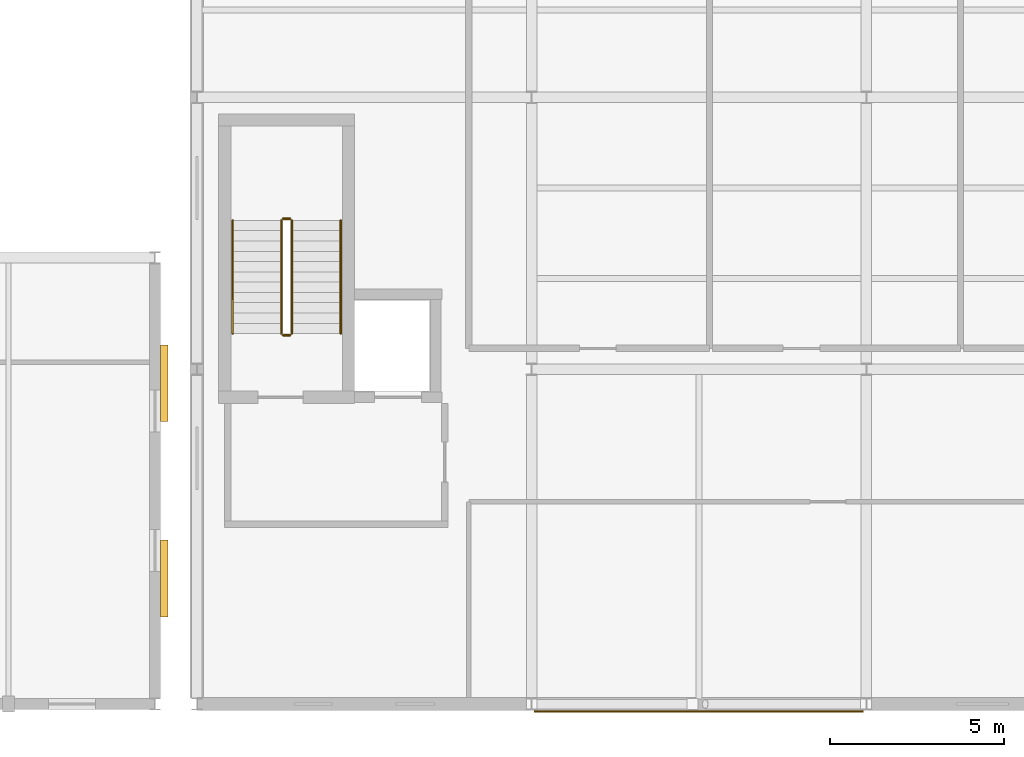
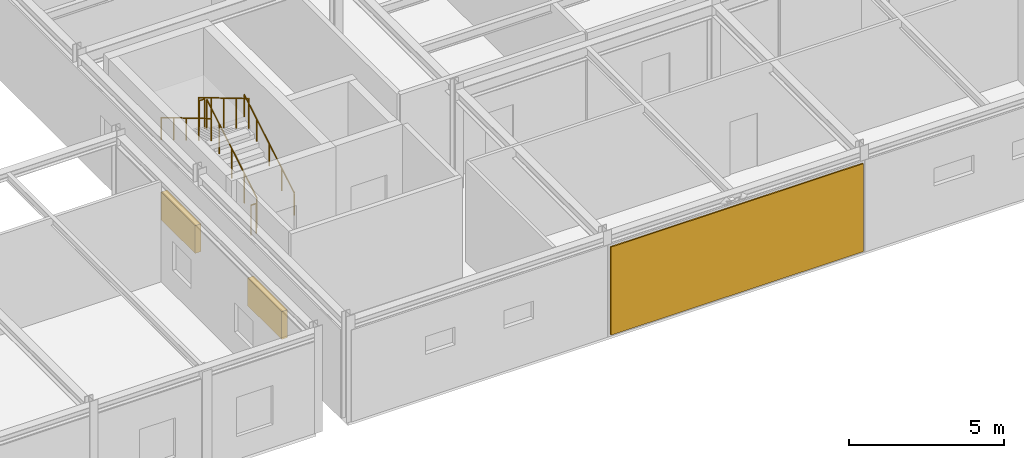
# One storey, part 99 of 99: 6 railings, 2 shading devices, 1 covering.
"""IFC4 building model written with IfcOpenShell, lengths in metres."""

from ifc_helpers import new_model, si_unit, direction, frame, origin, origin_2d, place, context, subcontext, project, spatial, rectangle, circle, extrude, material, layer, layer_set, type_object, element, save


model = new_model("IFC4")

# Units and contexts
model_context = context("Model", 3, precision=1e-05, world=origin(), true_north=direction((0.0, 1.0)))
body_context = subcontext(model_context, "Body", "Model", "MODEL_VIEW")
ifc_project = project(units=[si_unit("LENGTHUNIT", "METRE"), si_unit("AREAUNIT", "SQUARE_METRE"), si_unit("VOLUMEUNIT", "CUBIC_METRE"), si_unit("PLANEANGLEUNIT", "RADIAN"), si_unit("MASSUNIT", "GRAM", prefix="KILO")], contexts=[model_context])

# Site, building, storey
site_placement = place(None, origin())
site = spatial("IfcSite", under=ifc_project, at=site_placement, CompositionType="ELEMENT")
building_placement = place(site_placement, origin())
building = spatial("IfcBuilding", under=site, at=building_placement, Name="Nordkorset Police Headquarters", CompositionType="ELEMENT")
storey_placement = place(building_placement, frame((0.0, 0.0, 5.25)))
storey = spatial("IfcBuildingStorey", under=building, at=storey_placement, Name="L01", CompositionType="ELEMENT", Elevation=5.25)

# Covering
ifc_material_1 = material(Name="Nordic granite cladding", Category="masonry")
ifc_layer_1 = layer(ifc_material_1, 0.050048828125, Name="Nordic granite cladding")
ifc_layer_set_1 = layer_set([ifc_layer_1], Name="Nordic granite cladding")
covering_type = type_object("IfcCoveringType", Name="Cladding_Nordic_Granite", PredefinedType="CLADDING", material=ifc_layer_set_1)
covering_placement = place(storey_placement, frame((140.800048828125, -0.215087890625, 0.074951171875), z_axis=(0.0, 0.0, 1.0), x_axis=(1.0, 0.0, 0.0)))
element("IfcCovering", 1, at=covering_placement, inside=storey, type_object=covering_type, Name="Nordic Granite Rainscreen Cladding L01 V6S-1", PredefinedType="CLADDING", context=body_context, shape_type="SweptSolid", body=[
    extrude(rectangle(XDim=9.43408203125, YDim=0.050048828125, at=origin_2d()), origin(), (0.0, 0.0, 1.0), 3.47998046875),
])

# Shading devices
ifc_material_2 = material(Name="Aluminium alloy AW-6060", Category="aluminium")
shading_device_type = type_object("IfcShadingDeviceType", Name="Louvre_Acoustic_Alu", PredefinedType="USERDEFINED", material=ifc_material_2)
for number, where, z_axis, x_axis, name in (
    (2, (125.469970703125, 3.60009765625, 2.0), (0.0, 0.0, 1.0), (1.0, 0.0, 0.0), "Plinth Technical Acoustic Louvre 09"),
    (3, (125.469970703125, 9.199951171875, 2.0), (0.0, 0.0, 1.0), (1.0, 0.0, 0.0), "Plinth Technical Acoustic Louvre 10"),
):
    element("IfcShadingDevice", number, at=place(storey_placement, frame(where, z_axis=z_axis, x_axis=x_axis)), inside=storey, type_object=shading_device_type, Name=name, ObjectType="ACOUSTIC LOUVRE", PredefinedType="USERDEFINED", context=body_context, shape_type="SweptSolid", body=[
        extrude(rectangle(XDim=0.219970703125, YDim=2.199951171875, at=origin_2d()), origin(), (0.0, 0.0, 1.0), 1.10009765625),
    ])

# Railings
ifc_material_3 = material(Name="Steel S355J2", Category="steel")
ifc_layer_2 = layer(ifc_material_3, 0.048095703125, Name="Steel S355J2")
ifc_layer_set_2 = layer_set([ifc_layer_2], Name="Steel S355J2")
railing_type_1 = type_object("IfcRailingType", Name="Railing_Handrail_900", PredefinedType="HANDRAIL", material=ifc_layer_set_2)
railing_1_placement = place(storey_placement, frame((130.52490234375, 10.625, 0.175048828125)))
element("IfcRailing", 4, at=railing_1_placement, inside=storey, type_object=railing_type_1, Name="L01 ST-06 stair handrail 1", PredefinedType="HANDRAIL", context=body_context, shape_type="SweptSolid", body=[
    extrude(circle(Radius=0.02392578125, at=origin_2d()), frame((0.0, 0.0, 0.8759765625), z_axis=(0.0, 0.860057060016, 0.510197857224), x_axis=(-1.0, 0.0, 0.0)), (0.0, 0.0, 1.0), 3.773193359375),
    extrude(circle(Radius=0.02099609375, at=origin_2d()), origin(), (0.0, 0.0, 1.0), 0.851806640625),
    extrude(circle(Radius=0.02099609375, at=origin_2d()), frame((0.0, 0.811279296875, 0.481201171875)), (0.0, 0.0, 1.0), 0.851806640625),
    extrude(circle(Radius=0.02099609375, at=origin_2d()), frame((0.0, 1.62255859375, 0.96240234375)), (0.0, 0.0, 1.0), 0.851806640625),
    extrude(circle(Radius=0.02099609375, at=origin_2d()), frame((0.0, 2.433837890625, 1.44384765625)), (0.0, 0.0, 1.0), 0.851806640625),
    extrude(circle(Radius=0.02099609375, at=origin_2d()), frame((0.0, 3.2451171875, 1.925048828125)), (0.0, 0.0, 1.0), 0.851806640625),
])
railing_2_placement = place(storey_placement, frame((127.425048828125, 13.8701171875, 2.27490234375)))
element("IfcRailing", 5, at=railing_2_placement, inside=storey, type_object=railing_type_1, Name="L01 ST-06 stair handrail 2", PredefinedType="HANDRAIL", context=body_context, shape_type="SweptSolid", body=[
    extrude(circle(Radius=0.02392578125, at=origin_2d()), frame((0.0, 0.0, 0.8759765625), z_axis=(0.0, -0.860057060016, 0.510197857224), x_axis=(1.0, 0.0, 0.0)), (0.0, 0.0, 1.0), 3.773193359375),
    extrude(circle(Radius=0.02099609375, at=origin_2d()), origin(), (0.0, 0.0, 1.0), 0.851806640625),
    extrude(circle(Radius=0.02099609375, at=origin_2d()), frame((0.0, -0.811279296875, 0.481201171875)), (0.0, 0.0, 1.0), 0.851806640625),
    extrude(circle(Radius=0.02099609375, at=origin_2d()), frame((0.0, -1.62255859375, 0.96240234375)), (0.0, 0.0, 1.0), 0.851806640625),
    extrude(circle(Radius=0.02099609375, at=origin_2d()), frame((0.0, -2.433837890625, 1.44384765625)), (0.0, 0.0, 1.0), 0.851806640625),
    extrude(circle(Radius=0.02099609375, at=origin_2d()), frame((0.0, -3.2451171875, 1.925048828125)), (0.0, 0.0, 1.0), 0.851806640625),
])
ifc_material_4 = material(Name="Steel S355J2", Category="steel")
ifc_layer_3 = layer(ifc_material_4, 0.050048828125, Name="Steel S355J2")
ifc_layer_set_3 = layer_set([ifc_layer_3], Name="Steel S355J2")
railing_type_2 = type_object("IfcRailingType", Name="Railing_StairGuard_1200", PredefinedType="GUARDRAIL", material=ifc_layer_set_3)
railing_3_placement = place(storey_placement, frame((129.125, 10.625, 0.175048828125)))
element("IfcRailing", 6, at=railing_3_placement, inside=storey, type_object=railing_type_2, Name="L01 ST-06 stair guard 1", PredefinedType="GUARDRAIL", context=body_context, shape_type="SweptSolid", body=[
    extrude(circle(Radius=0.02392578125, at=origin_2d()), frame((0.0, 0.0, 1.17578125), z_axis=(0.0, 0.860057060016, 0.510197857224), x_axis=(-1.0, 0.0, 0.0)), (0.0, 0.0, 1.0), 3.773193359375),
    extrude(circle(Radius=0.02099609375, at=origin_2d()), origin(), (0.0, 0.0, 1.0), 1.15185546875),
    extrude(circle(Radius=0.02099609375, at=origin_2d()), frame((0.0, 0.811279296875, 0.481201171875)), (0.0, 0.0, 1.0), 1.15185546875),
    extrude(circle(Radius=0.02099609375, at=origin_2d()), frame((0.0, 1.62255859375, 0.96240234375)), (0.0, 0.0, 1.0), 1.15185546875),
    extrude(circle(Radius=0.02099609375, at=origin_2d()), frame((0.0, 2.433837890625, 1.44384765625)), (0.0, 0.0, 1.0), 1.15185546875),
    extrude(circle(Radius=0.02099609375, at=origin_2d()), frame((0.0, 3.2451171875, 1.925048828125)), (0.0, 0.0, 1.0), 1.15185546875),
])
railing_4_placement = place(storey_placement, frame((129.074951171875, 13.919921875, 2.10009765625)))
element("IfcRailing", 7, at=railing_4_placement, inside=storey, type_object=railing_type_2, Name="L01 ST-06 stair guard 2", PredefinedType="GUARDRAIL", context=body_context, shape_type="SweptSolid", body=[
    extrude(circle(Radius=0.02392578125, at=origin_2d()), frame((0.0, 0.0, 1.17578125), z_axis=(-1.0, 0.0, 0.0), x_axis=(0.0, -1.0, 0.0)), (0.0, 0.0, 1.0), 0.199951171875),
    extrude(circle(Radius=0.02099609375, at=origin_2d()), origin(), (0.0, 0.0, 1.0), 1.15185546875),
    extrude(circle(Radius=0.02099609375, at=origin_2d()), frame((-0.199951171875, 0.0, 0.0)), (0.0, 0.0, 1.0), 1.15185546875),
])
railing_5_placement = place(storey_placement, frame((128.824951171875, 13.8701171875, 2.27490234375)))
element("IfcRailing", 8, at=railing_5_placement, inside=storey, type_object=railing_type_2, Name="L01 ST-06 stair guard 3", PredefinedType="GUARDRAIL", context=body_context, shape_type="SweptSolid", body=[
    extrude(circle(Radius=0.02392578125, at=origin_2d()), frame((0.0, 0.0, 1.17578125), z_axis=(0.0, -0.860057060016, 0.510197857224), x_axis=(1.0, 0.0, 0.0)), (0.0, 0.0, 1.0), 3.773193359375),
    extrude(circle(Radius=0.02099609375, at=origin_2d()), origin(), (0.0, 0.0, 1.0), 1.15185546875),
    extrude(circle(Radius=0.02099609375, at=origin_2d()), frame((0.0, -0.811279296875, 0.481201171875)), (0.0, 0.0, 1.0), 1.15185546875),
    extrude(circle(Radius=0.02099609375, at=origin_2d()), frame((0.0, -1.62255859375, 0.96240234375)), (0.0, 0.0, 1.0), 1.15185546875),
    extrude(circle(Radius=0.02099609375, at=origin_2d()), frame((0.0, -2.433837890625, 1.44384765625)), (0.0, 0.0, 1.0), 1.15185546875),
    extrude(circle(Radius=0.02099609375, at=origin_2d()), frame((0.0, -3.2451171875, 1.925048828125)), (0.0, 0.0, 1.0), 1.15185546875),
])
railing_6_placement = place(storey_placement, frame((129.074951171875, 10.574951171875, 0.0)))
element("IfcRailing", 9, at=railing_6_placement, inside=storey, type_object=railing_type_2, Name="L01 ST-06 stair guard 4", PredefinedType="GUARDRAIL", context=body_context, shape_type="SweptSolid", body=[
    extrude(circle(Radius=0.02392578125, at=origin_2d()), frame((0.0, 0.0, 1.17578125), z_axis=(-1.0, 0.0, 0.0), x_axis=(0.0, -1.0, 0.0)), (0.0, 0.0, 1.0), 0.199951171875),
    extrude(circle(Radius=0.02099609375, at=origin_2d()), origin(), (0.0, 0.0, 1.0), 1.15185546875),
    extrude(circle(Radius=0.02099609375, at=origin_2d()), frame((-0.199951171875, 0.0, 0.0)), (0.0, 0.0, 1.0), 1.15185546875),
])

save(model, "model.ifc")
